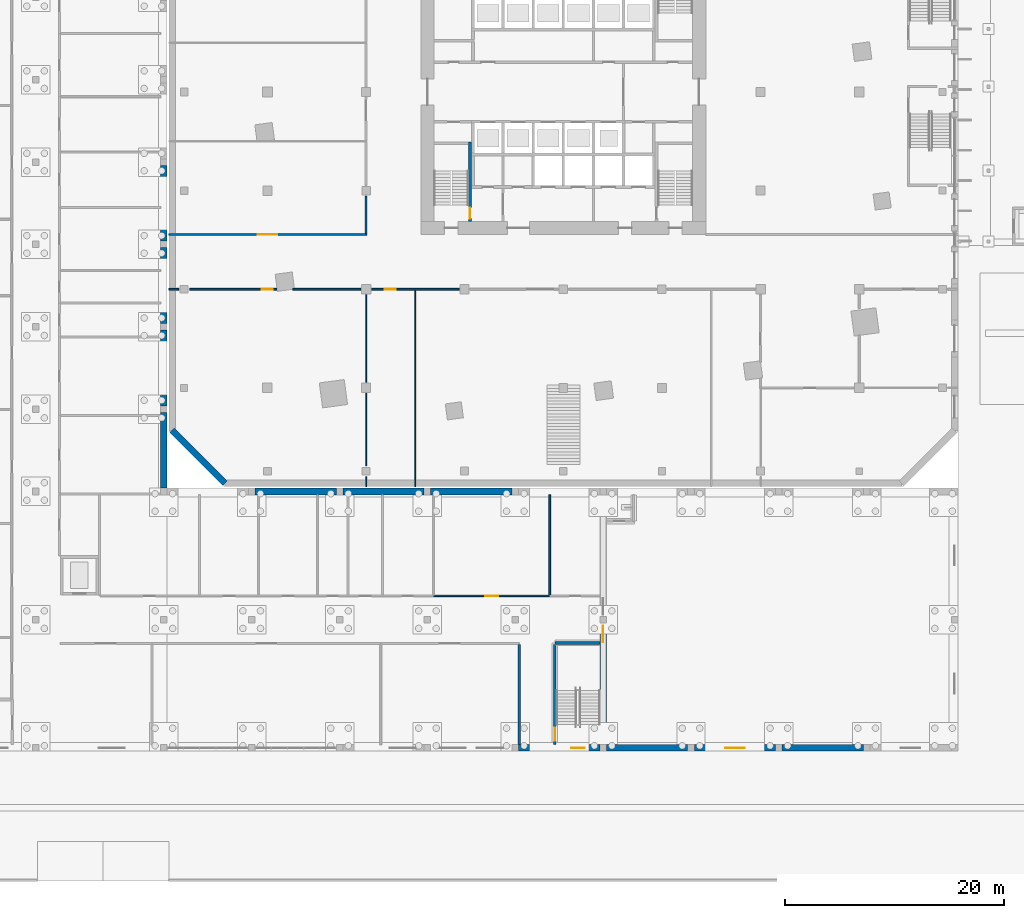
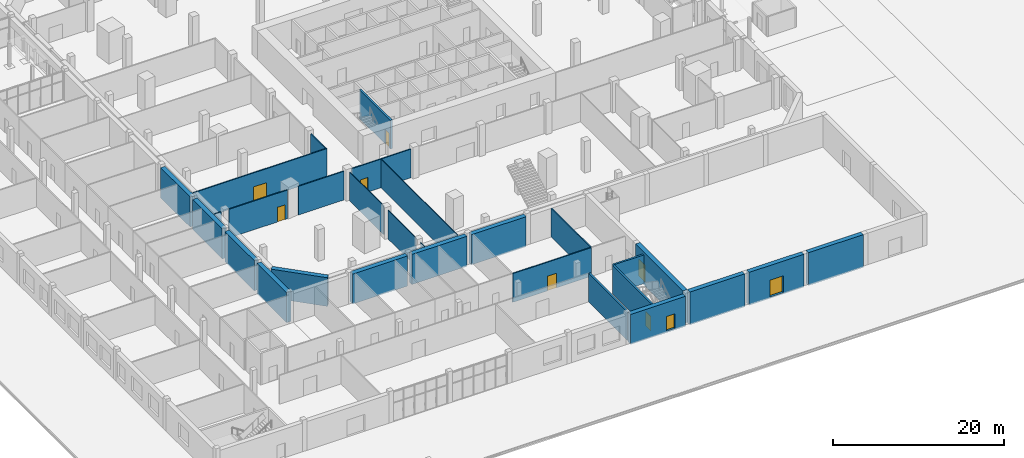
# One storey, part 25 of 42: 29 walls, 9 doors, 9 openings.
"""IFC4 building model written with IfcOpenShell, lengths in metres."""

from ifc_helpers import new_model, si_unit, direction, frame, frame_2d, origin, place, context, subcontext, project, spatial, rectangle, extrude, material, layer, layer_set, type_object, element, fill, save


model = new_model("IFC4")

# Units and contexts
model_context = context("Model", 3, precision=1e-05, world=origin(), true_north=direction((0.0, 1.0)))
body_context = subcontext(model_context, "Body", "Model", "MODEL_VIEW")
ifc_project = project(units=[si_unit("LENGTHUNIT", "METRE"), si_unit("AREAUNIT", "SQUARE_METRE"), si_unit("VOLUMEUNIT", "CUBIC_METRE"), si_unit("PLANEANGLEUNIT", "RADIAN"), si_unit("MASSUNIT", "GRAM", prefix="KILO")], contexts=[model_context])

# Site, building, storey
site_placement = place(None, origin())
site = spatial("IfcSite", under=ifc_project, at=site_placement, CompositionType="ELEMENT")
building_placement = place(site_placement, origin())
building = spatial("IfcBuilding", under=site, at=building_placement, Name="Dilmun Exchange Tower", CompositionType="ELEMENT")
storey_placement = place(building_placement, origin())
storey = spatial("IfcBuildingStorey", under=building, at=storey_placement, Name="L00", CompositionType="ELEMENT", Elevation=0.0)

# Wall
ifc_material_1 = material(Name="Fire partition EI 60 150 gypsum")
ifc_layer_1 = layer(ifc_material_1, 0.14990234375)
ifc_layer_set_1 = layer_set([ifc_layer_1], Name="Fire partition EI 60 150 gypsum")
wall_type_1 = type_object("IfcWallType", Name="Fire partition EI 60 150 gypsum", PredefinedType="PARTITIONING", material=ifc_layer_set_1)
wall_1_placement = place(storey_placement, frame((-36.0, -18.0, 0.0), z_axis=(0.0, 0.0, 1.0), x_axis=(1.0, 0.0, 0.0)))
element("IfcWall", 1, at=wall_1_placement, inside=storey, type_object=wall_type_1, Name="L00 partition", PredefinedType="PARTITIONING", context=body_context, shape_type="SweptSolid", body=[
    extrude(rectangle(XDim=0.89990234375, YDim=0.14990234375, at=frame_2d((0.449951171875, 0.0))), origin(), (0.0, 0.0, 1.0), 4.10009765625),
])

# Wall, opening, door
wall_2_placement = place(storey_placement, frame((-34.10009765625, -18.0, 0.0), z_axis=(0.0, 0.0, 1.0), x_axis=(1.0, 0.0, 0.0)))
wall_2 = element("IfcWall", 2, at=wall_2_placement, inside=storey, type_object=wall_type_1, Name="L00 partition", PredefinedType="PARTITIONING", context=body_context, shape_type="SweptSolid", body=[
    extrude(rectangle(XDim=7.956787109375, YDim=0.14990234375, at=frame_2d((3.978515625, 0.0))), origin(), (0.0, 0.0, 1.0), 4.10009765625),
])
opening_1_placement = place(wall_2_placement, frame((6.60009765625, 0.0, 0.0)))
opening_1 = element("IfcOpeningElement", 3, at=opening_1_placement, cuts=wall_2, Name="Opening L00-D016", PredefinedType="OPENING", context=body_context, shape_type="SweptSolid", body=[
    extrude(rectangle(XDim=1.0, YDim=2.10009765625, at=frame_2d((0.5, 1.050048828125))), frame((0.0, 0.0849609375, 0.0), z_axis=(0.0, -1.0, 0.0), x_axis=(1.0, 0.0, 0.0)), (0.0, 0.0, 1.0), 0.169921875),
])
ifc_material_2 = material(Name="Fire door FD60 1000 x 2100")
door_type_1 = type_object("IfcDoorType", Name="Fire door FD60 1000 x 2100", OperationType="SINGLE_SWING_LEFT", PredefinedType="DOOR", material=ifc_material_2)
door_1_placement = place(opening_1_placement, origin())
door_1 = element("IfcDoor", 4, at=door_1_placement, inside=storey, type_object=door_type_1, Name="L00 door L00-D016", OperationType="SINGLE_SWING_RIGHT", OverallHeight=2.10009765625, OverallWidth=1.0, PredefinedType="DOOR", context=body_context, shape_type="SweptSolid", body=[
    extrude(rectangle(XDim=1.0, YDim=2.10009765625, at=frame_2d((0.5, 1.050048828125))), frame((0.0, 0.02490234375, 0.0), z_axis=(0.0, -1.0, 0.0), x_axis=(1.0, 0.0, 0.0)), (0.0, 0.0, 1.0), 0.050048828125),
])
fill(opening_1, door_1)

# Wall
wall_3_placement = place(storey_placement, frame((-24.680908203125, -18.0, 0.0), z_axis=(0.0, 0.0, 1.0), x_axis=(1.0, 0.0, 0.0)))
element("IfcWall", 5, at=wall_3_placement, inside=storey, type_object=wall_type_1, Name="L00 partition", PredefinedType="PARTITIONING", context=body_context, shape_type="SweptSolid", body=[
    extrude(rectangle(XDim=6.180908203125, YDim=0.14990234375, at=frame_2d((3.09033203125, 0.0))), origin(), (0.0, 0.0, 1.0), 4.10009765625),
])

# Wall, opening, door
wall_4_placement = place(storey_placement, frame((-17.5, -18.0, 0.0), z_axis=(0.0, 0.0, 1.0), x_axis=(1.0, 0.0, 0.0)))
wall_4 = element("IfcWall", 6, at=wall_4_placement, inside=storey, type_object=wall_type_1, Name="L00 partition", PredefinedType="PARTITIONING", context=body_context, shape_type="SweptSolid", body=[
    extrude(rectangle(XDim=8.0, YDim=0.14990234375, at=frame_2d((4.0, 0.0))), origin(), (0.0, 0.0, 1.0), 4.10009765625),
])
opening_2_placement = place(wall_4_placement, frame((1.199951171875, 0.0, 0.0)))
opening_2 = element("IfcOpeningElement", 7, at=opening_2_placement, cuts=wall_4, Name="Opening L00-D015", PredefinedType="OPENING", context=body_context, shape_type="SweptSolid", body=[
    extrude(rectangle(XDim=1.0, YDim=2.10009765625, at=frame_2d((0.5, 1.050048828125))), frame((0.0, 0.0849609375, 0.0), z_axis=(0.0, -1.0, 0.0), x_axis=(1.0, 0.0, 0.0)), (0.0, 0.0, 1.0), 0.169921875),
])
door_2_placement = place(opening_2_placement, origin())
door_2 = element("IfcDoor", 8, at=door_2_placement, inside=storey, type_object=door_type_1, Name="L00 door L00-D015", OperationType="SINGLE_SWING_LEFT", OverallHeight=2.10009765625, OverallWidth=1.0, PredefinedType="DOOR", context=body_context, shape_type="SweptSolid", body=[
    extrude(rectangle(XDim=1.0, YDim=2.10009765625, at=frame_2d((0.5, 1.050048828125))), frame((0.0, 0.02490234375, 0.0), z_axis=(0.0, -1.0, 0.0), x_axis=(1.0, 0.0, 0.0)), (0.0, 0.0, 1.0), 0.050048828125),
])
fill(opening_2, door_2)

wall_5_placement = place(storey_placement, frame((-36.0, -13.0, 0.0), z_axis=(0.0, 0.0, 1.0), x_axis=(1.0, 0.0, 0.0)))
wall_5 = element("IfcWall", 9, at=wall_5_placement, inside=storey, type_object=wall_type_1, Name="L00 partition", PredefinedType="PARTITIONING", context=body_context, shape_type="SweptSolid", body=[
    extrude(rectangle(XDim=18.074951171875, YDim=0.14990234375, at=frame_2d((9.03759765625, 0.0))), origin(), (0.0, 0.0, 1.0), 4.10009765625),
])
opening_3_placement = place(wall_5_placement, frame((8.10009765625, 0.0, 0.0)))
opening_3 = element("IfcOpeningElement", 10, at=opening_3_placement, cuts=wall_5, Name="Opening L00-D011", PredefinedType="OPENING", context=body_context, shape_type="SweptSolid", body=[
    extrude(rectangle(XDim=1.800048828125, YDim=2.10009765625, at=frame_2d((0.89990234375, 1.050048828125))), frame((0.0, 0.0849609375, 0.0), z_axis=(0.0, -1.0, 0.0), x_axis=(1.0, 0.0, 0.0)), (0.0, 0.0, 1.0), 0.169921875),
])
ifc_material_3 = material(Name="Fire door FD60 double 1800 x 2100")
door_type_2 = type_object("IfcDoorType", Name="Fire door FD60 double 1800 x 2100", OperationType="DOUBLE_DOOR_SINGLE_SWING", PredefinedType="DOOR", material=ifc_material_3)
door_3_placement = place(opening_3_placement, origin())
door_3 = element("IfcDoor", 11, at=door_3_placement, inside=storey, type_object=door_type_2, Name="L00 door L00-D011", OperationType="DOUBLE_DOOR_SINGLE_SWING", OverallHeight=2.10009765625, OverallWidth=1.800048828125, PredefinedType="DOOR", context=body_context, shape_type="SweptSolid", body=[
    extrude(rectangle(XDim=1.800048828125, YDim=2.10009765625, at=frame_2d((0.89990234375, 1.050048828125))), frame((0.0, 0.02490234375, 0.0), z_axis=(0.0, -1.0, 0.0), x_axis=(1.0, 0.0, 0.0)), (0.0, 0.0, 1.0), 0.050048828125),
])
fill(opening_3, door_3)

# Walls
wall_6_placement = place(storey_placement, frame((-18.0, -12.925048828125, 0.0), z_axis=(0.0, 0.0, 1.0), x_axis=(0.0, 1.0, 0.0)))
element("IfcWall", 12, at=wall_6_placement, inside=storey, type_object=wall_type_1, Name="L00 partition", PredefinedType="PARTITIONING", context=body_context, shape_type="SweptSolid", body=[
    extrude(rectangle(XDim=3.425048828125, YDim=0.14990234375, at=frame_2d((1.71240234375, 0.0))), origin(), (0.0, 0.0, 1.0), 4.10009765625),
])
ifc_material_4 = material(Name="Partition 100 gypsum")
ifc_layer_2 = layer(ifc_material_4, 0.10009765625)
ifc_layer_set_2 = layer_set([ifc_layer_2], Name="Partition 100 gypsum")
wall_type_2 = type_object("IfcWallType", Name="Partition 100 gypsum", PredefinedType="PARTITIONING", material=ifc_layer_set_2)
wall_7_placement = place(storey_placement, frame((-18.0, -36.0, 0.0), z_axis=(0.0, 0.0, 1.0), x_axis=(0.0, 1.0, 0.0)))
element("IfcWall", 13, at=wall_7_placement, inside=storey, type_object=wall_type_2, Name="L00 partition", PredefinedType="PARTITIONING", context=body_context, shape_type="SweptSolid", body=[
    extrude(rectangle(XDim=0.89990234375, YDim=0.10009765625, at=frame_2d((0.449951171875, 0.0))), origin(), (0.0, 0.0, 1.0), 4.10009765625),
])
wall_8_placement = place(storey_placement, frame((-18.0, -34.10009765625, 0.0), z_axis=(0.0, 0.0, 1.0), x_axis=(0.0, 1.0, 0.0)))
element("IfcWall", 14, at=wall_8_placement, inside=storey, type_object=wall_type_2, Name="L00 partition", PredefinedType="PARTITIONING", context=body_context, shape_type="SweptSolid", body=[
    extrude(rectangle(XDim=6.60009765625, YDim=0.10009765625, at=frame_2d((3.300048828125, 0.0))), origin(), (0.0, 0.0, 1.0), 4.10009765625),
])
wall_9_placement = place(storey_placement, frame((-18.0, -26.5, 0.0), z_axis=(0.0, 0.0, 1.0), x_axis=(0.0, 1.0, 0.0)))
element("IfcWall", 15, at=wall_9_placement, inside=storey, type_object=wall_type_2, Name="L00 partition", PredefinedType="PARTITIONING", context=body_context, shape_type="SweptSolid", body=[
    extrude(rectangle(XDim=8.0, YDim=0.10009765625, at=frame_2d((4.0, 0.0))), origin(), (0.0, 0.0, 1.0), 4.10009765625),
])
wall_10_placement = place(storey_placement, frame((-13.5, -36.0, 0.0), z_axis=(0.0, 0.0, 1.0), x_axis=(0.0, 1.0, 0.0)))
element("IfcWall", 16, at=wall_10_placement, inside=storey, type_object=wall_type_2, Name="L00 partition", PredefinedType="PARTITIONING", context=body_context, shape_type="SweptSolid", body=[
    extrude(rectangle(XDim=17.925048828125, YDim=0.10009765625, at=frame_2d((8.96240234375, 0.0))), origin(), (0.0, 0.0, 1.0), 4.10009765625),
])
ifc_material_5 = material(Name="Precast concrete C50/60", Category="concrete")
ifc_layer_3 = layer(ifc_material_5, 0.60009765625)
ifc_layer_set_3 = layer_set([ifc_layer_3], Name="Precast concrete C50/60")
wall_type_3 = type_object("IfcWallType", Name="Precast stone-clad wall 600", PredefinedType="STANDARD", material=ifc_layer_set_3)
wall_11_placement = place(storey_placement, frame((-35.699951171875, -30.875732421875, 0.0), z_axis=(0.0, 0.0, 1.0), x_axis=(0.707106781187, -0.707106781187, 0.0)))
element("IfcWall", 17, at=wall_11_placement, inside=storey, type_object=wall_type_3, Name="Facade wall L00-07-0", PredefinedType="STANDARD", context=body_context, shape_type="SweptSolid", body=[
    extrude(rectangle(XDim=6.822509765625, YDim=0.60009765625, at=frame_2d((3.4111328125, 0.0))), origin(), (0.0, 0.0, 1.0), 4.10009765625),
])
ifc_material_6 = material(Name="Precast concrete C40/50", Category="concrete")
ifc_layer_4 = layer(ifc_material_6, 0.60009765625)
ifc_layer_set_4 = layer_set([ifc_layer_4], Name="Precast concrete C40/50")
wall_type_4 = type_object("IfcWallType", Name="School external wall 600 precast C40/50", PredefinedType="STANDARD", material=ifc_layer_set_4)
for number, where, z_axis, x_axis, name in (
    (18, (-36.449951171875, -6.69287109375, -0.199951171875), (0.0, 0.0, 1.0), (0.0, -1.0, 0.0), "School external wall"),
    (19, (-36.449951171875, -14.20703125, -0.199951171875), (0.0, 0.0, 1.0), (0.0, -1.0, 0.0), "School external wall"),
    (20, (-36.449951171875, -21.721435546875, -0.199951171875), (0.0, 0.0, 1.0), (0.0, -1.0, 0.0), "School external wall"),
    (21, (-36.449951171875, -29.235595703125, -0.199951171875), (0.0, 0.0, 1.0), (0.0, -1.0, 0.0), "School external wall"),
):
    element("IfcWall", number, at=place(storey_placement, frame(where, z_axis=z_axis, x_axis=x_axis)), inside=storey, type_object=wall_type_4, Name=name, PredefinedType="STANDARD", context=body_context, shape_type="SweptSolid", body=[
        extrude(rectangle(XDim=6.914306640625, YDim=0.60009765625, at=frame_2d((3.45703125, 0.0))), origin(), (0.0, 0.0, 1.0), 4.300048828125),
    ])
wall_12_placement = place(storey_placement, frame((-28.13330078125, -36.449951171875, -0.199951171875), z_axis=(0.0, 0.0, 1.0), x_axis=(1.0, 0.0, 0.0)))
element("IfcWall", 22, at=wall_12_placement, inside=storey, type_object=wall_type_4, Name="School external wall", PredefinedType="STANDARD", context=body_context, shape_type="SweptSolid", body=[
    extrude(rectangle(XDim=7.41650390625, YDim=0.60009765625, at=frame_2d((3.708251953125, 0.0))), origin(), (0.0, 0.0, 1.0), 4.300048828125),
])
for number, where, z_axis, x_axis, name in (
    (23, (-20.11669921875, -36.449951171875, -0.199951171875), (0.0, 0.0, 1.0), (1.0, 0.0, 0.0), "School external wall"),
    (24, (-12.10009765625, -36.449951171875, -0.199951171875), (0.0, 0.0, 1.0), (1.0, 0.0, 0.0), "School external wall"),
):
    element("IfcWall", number, at=place(storey_placement, frame(where, z_axis=z_axis, x_axis=x_axis)), inside=storey, type_object=wall_type_4, Name=name, PredefinedType="STANDARD", context=body_context, shape_type="SweptSolid", body=[
        extrude(rectangle(XDim=7.416748046875, YDim=0.60009765625, at=frame_2d((3.70849609375, 0.0))), origin(), (0.0, 0.0, 1.0), 4.300048828125),
    ])

# Wall, opening, door
wall_13_placement = place(storey_placement, frame((3.333251953125, -59.85009765625, -0.199951171875), z_axis=(0.0, 0.0, 1.0), x_axis=(-1.0, 0.0, 0.0)))
wall_13 = element("IfcWall", 25, at=wall_13_placement, inside=storey, type_object=wall_type_4, Name="School external wall", PredefinedType="STANDARD", context=body_context, shape_type="SweptSolid", body=[
    extrude(rectangle(XDim=7.41650390625, YDim=0.60009765625, at=frame_2d((3.708251953125, 0.0))), origin(), (0.0, 0.0, 1.0), 4.300048828125),
])
opening_4_placement = place(wall_13_placement, frame((1.390380859375, 0.0, 0.199951171875)))
opening_4 = element("IfcOpeningElement", 26, at=opening_4_placement, cuts=wall_13, Name="Opening SCH-D8", PredefinedType="OPENING", context=body_context, shape_type="SweptSolid", body=[
    extrude(rectangle(XDim=1.199951171875, YDim=2.10009765625, at=frame_2d((0.60009765625, 1.050048828125))), frame((0.0, 0.31005859375, 0.0), z_axis=(0.0, -1.0, 0.0), x_axis=(1.0, 0.0, 0.0)), (0.0, 0.0, 1.0), 0.6201171875),
])
ifc_material_7 = material(Name="Timber door leaf in steel frame", Category="steel")
door_type_3 = type_object("IfcDoorType", Name="School exit door FD60 1200 x 2100", OperationType="NOTDEFINED", PredefinedType="DOOR", material=ifc_material_7)
door_4_placement = place(opening_4_placement, origin())
door_4 = element("IfcDoor", 27, at=door_4_placement, inside=storey, type_object=door_type_3, Name="Stair S3 exit door", OperationType="SINGLE_SWING_LEFT", OverallHeight=2.10009765625, OverallWidth=1.199951171875, PredefinedType="DOOR", context=body_context, shape_type="SweptSolid", body=[
    extrude(rectangle(XDim=1.199951171875, YDim=2.10009765625, at=frame_2d((0.60009765625, 1.050048828125))), frame((0.0, 0.02490234375, 0.0), z_axis=(0.0, -1.0, 0.0), x_axis=(1.0, 0.0, 0.0)), (0.0, 0.0, 1.0), 0.050048828125),
])
fill(opening_4, door_4)

# Wall
ifc_material_8 = material(Name="Gypsum board on steel studs", Category="steel")
ifc_layer_5 = layer(ifc_material_8, 0.14990234375)
ifc_layer_set_5 = layer_set([ifc_layer_5], Name="Gypsum board on steel studs")
wall_type_5 = type_object("IfcWallType", Name="School partition 150 gypsum board", PredefinedType="PARTITIONING", material=ifc_layer_set_5)
wall_14_placement = place(storey_placement, frame((-1.232666015625, -45.89990234375, 0.0), z_axis=(0.0, 0.0, 1.0), x_axis=(0.0, 1.0, 0.0)))
element("IfcWall", 28, at=wall_14_placement, inside=storey, type_object=wall_type_5, Name="School partition", PredefinedType="PARTITIONING", context=body_context, shape_type="SweptSolid", body=[
    extrude(rectangle(XDim=9.14990234375, YDim=0.14990234375, at=frame_2d((4.574951171875, 0.0))), origin(), (0.0, 0.0, 1.0), 4.10009765625),
])

# Wall, opening, door
wall_15_placement = place(storey_placement, frame((-11.861083984375, -45.97509765625, 0.0), z_axis=(0.0, 0.0, 1.0), x_axis=(1.0, 0.0, 0.0)))
wall_15 = element("IfcWall", 29, at=wall_15_placement, inside=storey, type_object=wall_type_5, Name="School corridor wall", PredefinedType="PARTITIONING", context=body_context, shape_type="SweptSolid", body=[
    extrude(rectangle(XDim=10.62841796875, YDim=0.14990234375, at=frame_2d((5.314208984375, 0.0))), origin(), (0.0, 0.0, 1.0), 4.10009765625),
])
opening_5_placement = place(wall_15_placement, frame((4.714111328125, 0.0, 0.0)))
opening_5 = element("IfcOpeningElement", 30, at=opening_5_placement, cuts=wall_15, Name="Opening SCH-D3", PredefinedType="OPENING", context=body_context, shape_type="SweptSolid", body=[
    extrude(rectangle(XDim=1.199951171875, YDim=2.10009765625, at=frame_2d((0.60009765625, 1.050048828125))), frame((0.0, 0.0849609375, 0.0), z_axis=(0.0, -1.0, 0.0), x_axis=(1.0, 0.0, 0.0)), (0.0, 0.0, 1.0), 0.169921875),
])
door_type_4 = type_object("IfcDoorType", Name="School stair door FD60 1200 x 2100", OperationType="NOTDEFINED", PredefinedType="DOOR", material=ifc_material_7)
door_5_placement = place(opening_5_placement, origin())
door_5 = element("IfcDoor", 31, at=door_5_placement, inside=storey, type_object=door_type_4, Name="Kitchen door", OperationType="SINGLE_SWING_LEFT", OverallHeight=2.10009765625, OverallWidth=1.199951171875, PredefinedType="DOOR", context=body_context, shape_type="SweptSolid", body=[
    extrude(rectangle(XDim=1.199951171875, YDim=2.10009765625, at=frame_2d((0.60009765625, 1.050048828125))), frame((0.0, 0.02490234375, 0.0), z_axis=(0.0, -1.0, 0.0), x_axis=(1.0, 0.0, 0.0)), (0.0, 0.0, 1.0), 0.050048828125),
])
fill(opening_5, door_5)

# Wall
ifc_material_9 = material(Name="Concrete C40/50", Category="concrete")
ifc_layer_6 = layer(ifc_material_9, 0.60009765625)
ifc_layer_set_6 = layer_set([ifc_layer_6], Name="Concrete C40/50")
wall_type_6 = type_object("IfcWallType", Name="School sports hall wall 600 C40/50", PredefinedType="SOLIDWALL", material=ifc_layer_set_6)
wall_16_placement = place(storey_placement, frame((27.38330078125, -59.85009765625, -0.199951171875), z_axis=(0.0, 0.0, 1.0), x_axis=(-1.0, 0.0, 0.0)))
element("IfcWall", 32, at=wall_16_placement, inside=storey, type_object=wall_type_6, Name="School external wall", PredefinedType="SOLIDWALL", context=body_context, shape_type="SweptSolid", body=[
    extrude(rectangle(XDim=7.41650390625, YDim=0.60009765625, at=frame_2d((3.708251953125, 0.0))), origin(), (0.0, 0.0, 1.0), 4.699951171875),
])

# Wall, opening, door
wall_17_placement = place(storey_placement, frame((19.36669921875, -59.85009765625, -0.199951171875), z_axis=(0.0, 0.0, 1.0), x_axis=(-1.0, 0.0, 0.0)))
wall_17 = element("IfcWall", 33, at=wall_17_placement, inside=storey, type_object=wall_type_6, Name="School external wall", PredefinedType="SOLIDWALL", context=body_context, shape_type="SweptSolid", body=[
    extrude(rectangle(XDim=7.416748046875, YDim=0.60009765625, at=frame_2d((3.70849609375, 0.0))), origin(), (0.0, 0.0, 1.0), 4.699951171875),
])
opening_6_placement = place(wall_17_placement, frame((2.806640625, 0.0, 0.199951171875)))
opening_6 = element("IfcOpeningElement", 34, at=opening_6_placement, cuts=wall_17, Name="Opening SCH-D9", PredefinedType="OPENING", context=body_context, shape_type="SweptSolid", body=[
    extrude(rectangle(XDim=1.800048828125, YDim=2.39990234375, at=frame_2d((0.89990234375, 1.199951171875))), frame((0.0, 0.31005859375, 0.0), z_axis=(0.0, -1.0, 0.0), x_axis=(1.0, 0.0, 0.0)), (0.0, 0.0, 1.0), 0.6201171875),
])
ifc_material_10 = material(Name="Clear low-emissivity glass in aluminium frame", Category="aluminium")
door_type_5 = type_object("IfcDoorType", Name="School glazed double door 1800 x 2400", OperationType="DOUBLE_DOOR_SINGLE_SWING", PredefinedType="DOOR", material=ifc_material_10)
door_6_placement = place(opening_6_placement, origin())
door_6 = element("IfcDoor", 35, at=door_6_placement, inside=storey, type_object=door_type_5, Name="Sports hall exit door", OperationType="DOUBLE_DOOR_SINGLE_SWING", OverallHeight=2.39990234375, OverallWidth=1.800048828125, PredefinedType="DOOR", context=body_context, shape_type="SweptSolid", body=[
    extrude(rectangle(XDim=1.800048828125, YDim=2.39990234375, at=frame_2d((0.89990234375, 1.199951171875))), frame((0.0, 0.02490234375, 0.0), z_axis=(0.0, -1.0, 0.0), x_axis=(1.0, 0.0, 0.0)), (0.0, 0.0, 1.0), 0.050048828125),
])
fill(opening_6, door_6)

# Wall
wall_18_placement = place(storey_placement, frame((11.35009765625, -59.85009765625, -0.199951171875), z_axis=(0.0, 0.0, 1.0), x_axis=(-1.0, 0.0, 0.0)))
element("IfcWall", 36, at=wall_18_placement, inside=storey, type_object=wall_type_6, Name="School external wall", PredefinedType="SOLIDWALL", context=body_context, shape_type="SweptSolid", body=[
    extrude(rectangle(XDim=7.416748046875, YDim=0.60009765625, at=frame_2d((3.70849609375, 0.0))), origin(), (0.0, 0.0, 1.0), 4.699951171875),
])

# Wall, opening, door
wall_19_placement = place(storey_placement, frame((3.63330078125, -59.550048828125, -0.199951171875), z_axis=(0.0, 0.0, 1.0), x_axis=(0.0, 1.0, 0.0)))
wall_19 = element("IfcWall", 37, at=wall_19_placement, inside=storey, type_object=wall_type_6, Name="School sports hall wall", PredefinedType="SOLIDWALL", context=body_context, shape_type="SweptSolid", body=[
    extrude(rectangle(XDim=11.10009765625, YDim=0.60009765625, at=frame_2d((5.550048828125, 0.0))), origin(), (0.0, 0.0, 1.0), 4.699951171875),
])
opening_7_placement = place(wall_19_placement, frame((9.35009765625, 0.0, 0.199951171875)))
opening_7 = element("IfcOpeningElement", 38, at=opening_7_placement, cuts=wall_19, Name="Opening SCH-D5", PredefinedType="OPENING", context=body_context, shape_type="SweptSolid", body=[
    extrude(rectangle(XDim=1.5, YDim=2.39990234375, at=frame_2d((0.75, 1.199951171875))), frame((0.0, 0.31005859375, 0.0), z_axis=(0.0, -1.0, 0.0), x_axis=(1.0, 0.0, 0.0)), (0.0, 0.0, 1.0), 0.6201171875),
])
door_type_6 = type_object("IfcDoorType", Name="School glazed double door 1500 x 2400", OperationType="DOUBLE_DOOR_SINGLE_SWING", PredefinedType="DOOR", material=ifc_material_10)
door_7_placement = place(opening_7_placement, origin())
door_7 = element("IfcDoor", 39, at=door_7_placement, inside=storey, type_object=door_type_6, Name="Sports hall door", OperationType="DOUBLE_DOOR_SINGLE_SWING", OverallHeight=2.39990234375, OverallWidth=1.5, PredefinedType="DOOR", context=body_context, shape_type="SweptSolid", body=[
    extrude(rectangle(XDim=1.5, YDim=2.39990234375, at=frame_2d((0.75, 1.199951171875))), frame((0.0, 0.02490234375, 0.0), z_axis=(0.0, -1.0, 0.0), x_axis=(1.0, 0.0, 0.0)), (0.0, 0.0, 1.0), 0.050048828125),
])
fill(opening_7, door_7)

# Wall
ifc_layer_7 = layer(ifc_material_9, 0.25)
ifc_layer_set_7 = layer_set([ifc_layer_7], Name="Concrete C40/50")
wall_type_7 = type_object("IfcWallType", Name="School stair and lift wall 250 C40/50", PredefinedType="SHEAR", material=ifc_layer_set_7)
wall_20_placement = place(storey_placement, frame((-4.02197265625, -59.550048828125, 0.0), z_axis=(0.0, 0.0, 1.0), x_axis=(0.0, 1.0, 0.0)))
element("IfcWall", 40, at=wall_20_placement, inside=storey, type_object=wall_type_7, Name="School stair or lift wall", PredefinedType="SHEAR", context=body_context, shape_type="SweptSolid", body=[
    extrude(rectangle(XDim=9.150146484375, YDim=0.25, at=frame_2d((4.5751953125, 0.0))), origin(), (0.0, 0.0, 1.0), 4.10009765625),
])

# Wall, opening, door
wall_21_placement = place(storey_placement, frame((-0.77197265625, -59.550048828125, 0.0), z_axis=(0.0, 0.0, 1.0), x_axis=(0.0, 1.0, 0.0)))
wall_21 = element("IfcWall", 41, at=wall_21_placement, inside=storey, type_object=wall_type_7, Name="School stair or lift wall", PredefinedType="SHEAR", context=body_context, shape_type="SweptSolid", body=[
    extrude(rectangle(XDim=9.150146484375, YDim=0.25, at=frame_2d((4.5751953125, 0.0))), origin(), (0.0, 0.0, 1.0), 4.10009765625),
])
opening_8_placement = place(wall_21_placement, frame((0.35009765625, 0.0, 0.0)))
opening_8 = element("IfcOpeningElement", 42, at=opening_8_placement, cuts=wall_21, Name="Opening SCH-D3", PredefinedType="OPENING", context=body_context, shape_type="SweptSolid", body=[
    extrude(rectangle(XDim=1.199951171875, YDim=2.10009765625, at=frame_2d((0.60009765625, 1.050048828125))), frame((0.0, 0.135009765625, 0.0), z_axis=(0.0, -1.0, 0.0), x_axis=(1.0, 0.0, 0.0)), (0.0, 0.0, 1.0), 0.27001953125),
])
door_8_placement = place(opening_8_placement, origin())
door_8 = element("IfcDoor", 43, at=door_8_placement, inside=storey, type_object=door_type_4, Name="Stair S3 door", OperationType="SINGLE_SWING_RIGHT", OverallHeight=2.10009765625, OverallWidth=1.199951171875, PredefinedType="DOOR", context=body_context, shape_type="SweptSolid", body=[
    extrude(rectangle(XDim=1.199951171875, YDim=2.10009765625, at=frame_2d((0.60009765625, 1.050048828125))), frame((0.0, 0.02490234375, 0.0), z_axis=(0.0, -1.0, 0.0), x_axis=(1.0, 0.0, 0.0)), (0.0, 0.0, 1.0), 0.050048828125),
])
fill(opening_8, door_8)

# Wall
wall_22_placement = place(storey_placement, frame((-0.77197265625, -50.27490234375, 0.0), z_axis=(0.0, 0.0, 1.0), x_axis=(1.0, 0.0, 0.0)))
element("IfcWall", 44, at=wall_22_placement, inside=storey, type_object=wall_type_7, Name="School corridor wall", PredefinedType="SHEAR", context=body_context, shape_type="SweptSolid", body=[
    extrude(rectangle(XDim=4.10498046875, YDim=0.25, at=frame_2d((2.052490234375, 0.0))), origin(), (0.0, 0.0, 1.0), 4.10009765625),
])

# Wall, opening, door
ifc_layer_8 = layer(ifc_material_9, 0.27490234375)
ifc_layer_set_8 = layer_set([ifc_layer_8], Name="Concrete C40/50")
wall_type_8 = type_object("IfcWallType", Name="Stair wall 275", PredefinedType="SOLIDWALL", material=ifc_layer_set_8)
wall_23_placement = place(storey_placement, frame((-8.512451171875, -4.550048828125, 0.0), z_axis=(0.0, 0.0, 1.0), x_axis=(0.0, -1.0, 0.0)))
wall_23 = element("IfcWall", 45, at=wall_23_placement, inside=storey, type_object=wall_type_8, Name="L00 ST2 wall to lift block", PredefinedType="SOLIDWALL", context=body_context, shape_type="SweptSolid", body=[
    extrude(rectangle(XDim=7.25, YDim=0.27490234375, at=frame_2d((3.625, 0.0))), origin(), (0.0, 0.0, 1.0), 4.10009765625),
])
opening_9_placement = place(wall_23_placement, frame((6.0, 0.0, 0.0)))
opening_9 = element("IfcOpeningElement", 46, at=opening_9_placement, cuts=wall_23, Name="Opening CD4", PredefinedType="OPENING", context=body_context, shape_type="SweptSolid", body=[
    extrude(rectangle(XDim=1.0, YDim=2.10009765625, at=frame_2d((0.5, 1.050048828125))), frame((0.0, 0.1474609375, 0.0), z_axis=(0.0, -1.0, 0.0), x_axis=(1.0, 0.0, 0.0)), (0.0, 0.0, 1.0), 0.294921875),
])
ifc_material_11 = material(Name="Fire-rated steel door set", Category="steel")
door_type_7 = type_object("IfcDoorType", Name="Core room door 1000x2100", OperationType="SINGLE_SWING_LEFT", PredefinedType="DOOR", material=ifc_material_11)
door_9_placement = place(opening_9_placement, origin())
door_9 = element("IfcDoor", 47, at=door_9_placement, inside=storey, type_object=door_type_7, Name="L00 door ST2 from lobby", OperationType="SINGLE_SWING_LEFT", OverallHeight=2.10009765625, OverallWidth=1.0, PredefinedType="DOOR", context=body_context, shape_type="SweptSolid", body=[
    extrude(rectangle(XDim=1.0, YDim=2.10009765625, at=frame_2d((0.5, 1.050048828125))), frame((0.0, 0.02490234375, 0.0), z_axis=(0.0, -1.0, 0.0), x_axis=(1.0, 0.0, 0.0)), (0.0, 0.0, 1.0), 0.050048828125),
])
fill(opening_9, door_9)

save(model, "model.ifc")
